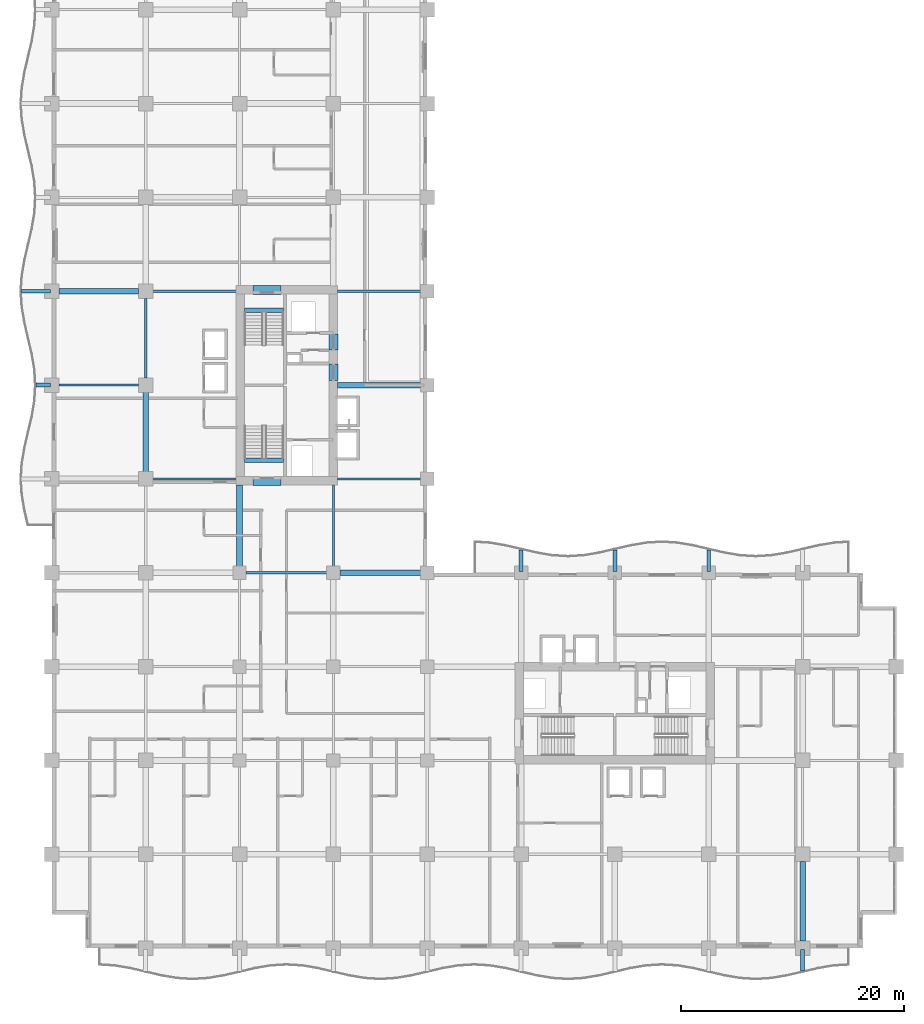
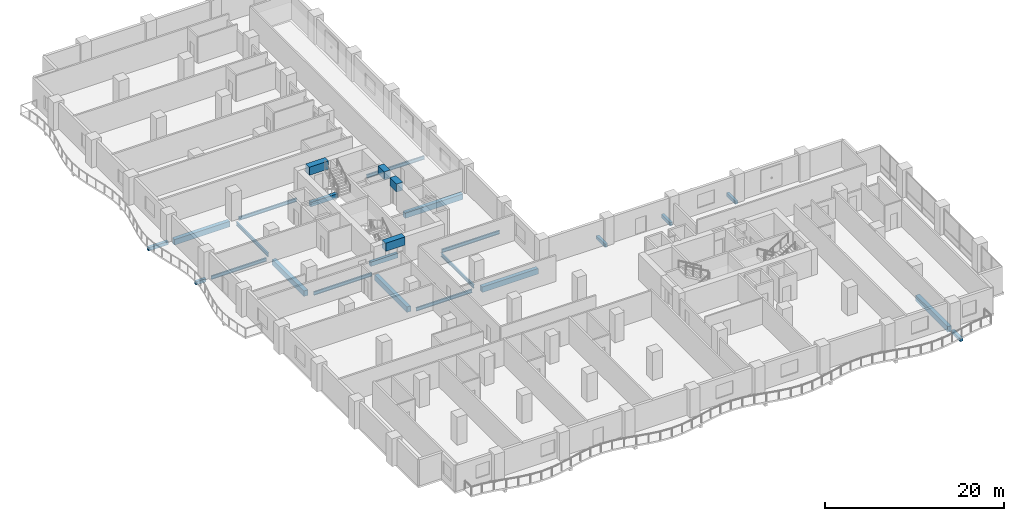
# One storey, part 2 of 24: 26 beams.
"""IFC4 building model written with IfcOpenShell, lengths in metres."""

from ifc_helpers import new_model, si_unit, direction, frame, origin, origin_2d, place, context, subcontext, project, spatial, rectangle, i_section, extrude, material, material_profile, profile_set, type_object, element, save


model = new_model("IFC4")

# Units and contexts
model_context = context("Model", 3, precision=1e-05, world=origin(), true_north=direction((0.0, 1.0)))
body_context = subcontext(model_context, "Body", "Model", "MODEL_VIEW")
ifc_project = project(units=[si_unit("LENGTHUNIT", "METRE"), si_unit("AREAUNIT", "SQUARE_METRE"), si_unit("VOLUMEUNIT", "CUBIC_METRE"), si_unit("PLANEANGLEUNIT", "RADIAN"), si_unit("MASSUNIT", "GRAM", prefix="KILO")], contexts=[model_context])

# Site, building, storey
site_placement = place(None, origin())
site = spatial("IfcSite", under=ifc_project, at=site_placement, CompositionType="ELEMENT")
building_placement = place(site_placement, origin())
building = spatial("IfcBuilding", under=site, at=building_placement, Name="Koriwani Terraces Tower", CompositionType="ELEMENT")
storey_placement = place(building_placement, frame((0.0, 0.0, 103.800048828125)))
storey = spatial("IfcBuildingStorey", under=building, at=storey_placement, Name="L24", CompositionType="ELEMENT", Elevation=103.800048828125)

# Beams
ifc_material_1 = material(Name="Concrete C40/50", Category="concrete")
ifc_material_profile_1 = material_profile(ifc_material_1, rectangle(XDim=0.35009765625, YDim=0.449951171875, at=origin_2d()), Name="Concrete C40/50", Category="LoadBearing")
ifc_profile_set_1 = profile_set([ifc_material_profile_1], Name="Concrete C40/50")
beam_type_1 = type_object("IfcBeamType", Name="BEAM_RC_BALCONY_RIB_350X450", PredefinedType="JOIST", material=ifc_profile_set_1)
beam_1_placement = place(storey_placement, frame((67.199951171875, -2.050048828125, -0.47509765625), z_axis=(0.0, 1.0, 0.0), x_axis=(-1.0, 0.0, 0.0)))
element("IfcBeam", 1, at=beam_1_placement, inside=storey, type_object=beam_type_1, Name="L24 Balcony Bracket Rib S-8", PredefinedType="JOIST", context=body_context, shape_type="SweptSolid", body=[
    extrude(rectangle(XDim=0.35009765625, YDim=0.449951171875, at=origin_2d()), origin(), (0.0, 0.0, 1.0), 1.949951171875),
])
beam_2_placement = place(storey_placement, frame((-1.39990234375, 50.39990234375, -0.47509765625), z_axis=(1.0, 0.0, 0.0), x_axis=(0.0, 1.0, 0.0)))
element("IfcBeam", 2, at=beam_2_placement, inside=storey, type_object=beam_type_1, Name="L24 Balcony Bracket Rib W-2", PredefinedType="JOIST", context=body_context, shape_type="SweptSolid", body=[
    extrude(rectangle(XDim=0.35009765625, YDim=0.449951171875, at=origin_2d()), origin(), (0.0, 0.0, 1.0), 1.2998046875),
])
beam_3_placement = place(storey_placement, frame((-2.699951171875, 58.800048828125, -0.47509765625), z_axis=(1.0, 0.0, 0.0), x_axis=(0.0, 1.0, 0.0)))
element("IfcBeam", 3, at=beam_3_placement, inside=storey, type_object=beam_type_1, Name="L24 Balcony Bracket Rib W-3", PredefinedType="JOIST", context=body_context, shape_type="SweptSolid", body=[
    extrude(rectangle(XDim=0.35009765625, YDim=0.449951171875, at=origin_2d()), origin(), (0.0, 0.0, 1.0), 2.599853515625),
])
for number, where, z_axis, x_axis, name in (
    (4, (42.0, 33.699951171875, -0.47509765625), (0.0, 1.0, 0.0), (-1.0, 0.0, 0.0), "L24 Balcony Bracket Rib NE-1"),
    (5, (50.39990234375, 33.699951171875, -0.47509765625), (0.0, 1.0, 0.0), (-1.0, 0.0, 0.0), "L24 Balcony Bracket Rib NE-2"),
    (6, (58.800048828125, 33.699951171875, -0.47509765625), (0.0, 1.0, 0.0), (-1.0, 0.0, 0.0), "L24 Balcony Bracket Rib NE-3"),
):
    element("IfcBeam", number, at=place(storey_placement, frame(where, z_axis=z_axis, x_axis=x_axis)), inside=storey, type_object=beam_type_1, Name=name, PredefinedType="JOIST", context=body_context, shape_type="SweptSolid", body=[
        extrude(rectangle(XDim=0.35009765625, YDim=0.449951171875, at=origin_2d()), origin(), (0.0, 0.0, 1.0), 1.949951171875),
    ])
ifc_material_2 = material(Name="Concrete C60/75", Category="concrete")
ifc_material_profile_2 = material_profile(ifc_material_2, rectangle(XDim=0.800048828125, YDim=1.10009765625, at=origin_2d()), Name="Concrete C60/75", Category="LoadBearing")
ifc_profile_set_2 = profile_set([ifc_material_profile_2], Name="Concrete C60/75")
beam_type_2 = type_object("IfcBeamType", Name="BEAM_RC_COUPLING_800X1100", PredefinedType="LINTEL", material=ifc_profile_set_2)
beam_4_placement = place(storey_placement, frame((25.199951171875, 50.800048828125, 3.0), z_axis=(0.0, 1.0, 0.0), x_axis=(-1.0, 0.0, 0.0)))
element("IfcBeam", 7, at=beam_4_placement, inside=storey, type_object=beam_type_2, Name="L24 Core Coupling Lintel Beam WE1", PredefinedType="LINTEL", context=body_context, shape_type="SweptSolid", body=[
    extrude(rectangle(XDim=0.800048828125, YDim=1.10009765625, at=origin_2d()), origin(), (0.0, 0.0, 1.0), 1.47998046875),
])
beam_5_placement = place(storey_placement, frame((25.199951171875, 53.550048828125, 3.0), z_axis=(0.0, 1.0, 0.0), x_axis=(-1.0, 0.0, 0.0)))
element("IfcBeam", 8, at=beam_5_placement, inside=storey, type_object=beam_type_2, Name="L24 Core Coupling Lintel Beam WE2", PredefinedType="LINTEL", context=body_context, shape_type="SweptSolid", body=[
    extrude(rectangle(XDim=0.800048828125, YDim=1.10009765625, at=origin_2d()), origin(), (0.0, 0.0, 1.0), 1.39990234375),
])
for number, where, z_axis, x_axis, name in (
    (9, (18.0, 41.824951171875, 3.0), (1.0, 0.0, 0.0), (0.0, 1.0, 0.0), "L24 Core Coupling Lintel Beam WS"),
    (10, (18.0, 58.925048828125, 3.0), (1.0, 0.0, 0.0), (0.0, 1.0, 0.0), "L24 Core Coupling Lintel Beam WN"),
):
    element("IfcBeam", number, at=place(storey_placement, frame(where, z_axis=z_axis, x_axis=x_axis)), inside=storey, type_object=beam_type_2, Name=name, PredefinedType="LINTEL", context=body_context, shape_type="SweptSolid", body=[
        extrude(rectangle(XDim=0.800048828125, YDim=1.10009765625, at=origin_2d()), origin(), (0.0, 0.0, 1.0), 2.5),
    ])
ifc_material_profile_3 = material_profile(ifc_material_1, rectangle(XDim=0.39990234375, YDim=0.60009765625, at=origin_2d()), Name="Concrete C40/50", Category="LoadBearing")
ifc_profile_set_3 = profile_set([ifc_material_profile_3], Name="Concrete C40/50")
beam_type_3 = type_object("IfcBeamType", Name="BEAM_RC_GRID_400X600", PredefinedType="BEAM", material=ifc_profile_set_3)
for number, where, z_axis, x_axis, name in (
    (11, (17.25, 43.655029296875, -0.300048828125), (1.0, 0.0, 0.0), (0.0, 1.0, 0.0), "L24 Stairwell Header Trimmer Beam ST-W1"),
    (12, (17.25, 57.094970703125, -0.300048828125), (1.0, 0.0, 0.0), (0.0, 1.0, 0.0), "L24 Stairwell Header Trimmer Beam ST-W2"),
):
    element("IfcBeam", number, at=place(storey_placement, frame(where, z_axis=z_axis, x_axis=x_axis)), inside=storey, type_object=beam_type_3, Name=name, PredefinedType="BEAM", context=body_context, shape_type="SweptSolid", body=[
        extrude(rectangle(XDim=0.39990234375, YDim=0.60009765625, at=origin_2d()), origin(), (0.0, 0.0, 1.0), 3.5),
    ])
ifc_material_3 = material(Name="Concrete C50/60", Category="concrete")
ifc_material_profile_4 = material_profile(ifc_material_3, rectangle(XDim=0.5, YDim=0.75, at=origin_2d()), Name="Concrete C50/60", Category="LoadBearing")
ifc_profile_set_4 = profile_set([ifc_material_profile_4], Name="Concrete C50/60")
beam_type_4 = type_object("IfcBeamType", Name="BEAM_RC_GRID_500X750", PredefinedType="BEAM", material=ifc_profile_set_4)
beam_6_placement = place(storey_placement, frame((25.780029296875, 33.60009765625, -0.625), z_axis=(1.0, 0.0, 0.0), x_axis=(0.0, 1.0, 0.0)))
element("IfcBeam", 13, at=beam_6_placement, inside=storey, type_object=beam_type_4, Name="L24 Grid Beam E (25.2-33.6m)", PredefinedType="BEAM", context=body_context, shape_type="SweptSolid", body=[
    extrude(rectangle(XDim=0.5, YDim=0.75, at=origin_2d()), origin(), (0.0, 0.0, 1.0), 7.239990234375),
])
beam_7_placement = place(storey_placement, frame((25.554931640625, 50.39990234375, -0.625), z_axis=(1.0, 0.0, 0.0), x_axis=(0.0, 1.0, 0.0)))
element("IfcBeam", 14, at=beam_7_placement, inside=storey, type_object=beam_type_4, Name="L24 Grid Beam G (25.2-33.6m)", PredefinedType="BEAM", context=body_context, shape_type="SweptSolid", body=[
    extrude(rectangle(XDim=0.5, YDim=0.75, at=origin_2d()), origin(), (0.0, 0.0, 1.0), 7.465087890625),
])
for number, where, z_axis, x_axis, name in (
    (15, (0.6298828125, 58.800048828125, -0.625), (1.0, 0.0, 0.0), (0.0, 1.0, 0.0), "L24 Grid Beam H (0.0-8.4m)"),
    (16, (8.39990234375, 42.6298828125, -0.625), (0.0, 1.0, 0.0), (-1.0, 0.0, 0.0), "L24 Grid Beam 2 (42.0-50.4m)"),
):
    element("IfcBeam", number, at=place(storey_placement, frame(where, z_axis=z_axis, x_axis=x_axis)), inside=storey, type_object=beam_type_4, Name=name, PredefinedType="BEAM", context=body_context, shape_type="SweptSolid", body=[
        extrude(rectangle(XDim=0.5, YDim=0.75, at=origin_2d()), origin(), (0.0, 0.0, 1.0), 7.14013671875),
    ])
beam_8_placement = place(storey_placement, frame((16.800048828125, 34.179931640625, -0.625), z_axis=(0.0, 1.0, 0.0), x_axis=(-1.0, 0.0, 0.0)))
element("IfcBeam", 17, at=beam_8_placement, inside=storey, type_object=beam_type_4, Name="L24 Grid Beam 3 (33.6-42.0m)", PredefinedType="BEAM", context=body_context, shape_type="SweptSolid", body=[
    extrude(rectangle(XDim=0.5, YDim=0.75, at=origin_2d()), origin(), (0.0, 0.0, 1.0), 7.2900390625),
])
beam_9_placement = place(storey_placement, frame((67.199951171875, 0.6298828125, -0.625), z_axis=(0.0, 1.0, 0.0), x_axis=(-1.0, 0.0, 0.0)))
element("IfcBeam", 18, at=beam_9_placement, inside=storey, type_object=beam_type_4, Name="L24 Grid Beam 9 (0.0-8.4m)", PredefinedType="BEAM", context=body_context, shape_type="SweptSolid", body=[
    extrude(rectangle(XDim=0.5, YDim=0.75, at=origin_2d()), origin(), (0.0, 0.0, 1.0), 7.14013671875),
])
ifc_material_4 = material(Name="Steel ASTM A572 Grade 50", Category="steel")
ifc_material_profile_5 = material_profile(ifc_material_4, i_section(OverallWidth=0.193115234375, OverallDepth=0.462890625, WebThickness=0.0107421875, FlangeThickness=0.017333984375, at=origin_2d()), Name="Steel ASTM A572 Grade 50", Category="LoadBearing")
ifc_profile_set_5 = profile_set([ifc_material_profile_5], Name="Steel ASTM A572 Grade 50")
beam_type_5 = type_object("IfcBeamType", Name="STEEL_BEAM_W460X113", PredefinedType="BEAM", material=ifc_profile_set_5)
beam_10_placement = place(storey_placement, frame((17.3798828125, 33.60009765625, -0.4814453125), z_axis=(1.0, 0.0, 0.0), x_axis=(0.0, 1.0, 0.0)))
element("IfcBeam", 19, at=beam_10_placement, inside=storey, type_object=beam_type_5, Name="L24 Grid Beam E (16.8-25.2m)", PredefinedType="BEAM", context=body_context, shape_type="SweptSolid", body=[
    extrude(i_section(OverallWidth=0.193115234375, OverallDepth=0.462890625, WebThickness=0.0107421875, FlangeThickness=0.017333984375, at=origin_2d()), origin(), (0.0, 0.0, 1.0), 7.240234375),
])
beam_11_placement = place(storey_placement, frame((9.030029296875, 42.0, -0.4814453125), z_axis=(1.0, 0.0, 0.0), x_axis=(0.0, 1.0, 0.0)))
element("IfcBeam", 20, at=beam_11_placement, inside=storey, type_object=beam_type_5, Name="L24 Grid Beam F (8.4-16.8m)", PredefinedType="BEAM", context=body_context, shape_type="SweptSolid", body=[
    extrude(i_section(OverallWidth=0.193115234375, OverallDepth=0.462890625, WebThickness=0.0107421875, FlangeThickness=0.017333984375, at=origin_2d()), origin(), (0.0, 0.0, 1.0), 7.489990234375),
])
beam_12_placement = place(storey_placement, frame((25.554931640625, 42.0, -0.4814453125), z_axis=(1.0, 0.0, 0.0), x_axis=(0.0, 1.0, 0.0)))
element("IfcBeam", 21, at=beam_12_placement, inside=storey, type_object=beam_type_5, Name="L24 Grid Beam F (25.2-33.6m)", PredefinedType="BEAM", context=body_context, shape_type="SweptSolid", body=[
    extrude(i_section(OverallWidth=0.193115234375, OverallDepth=0.462890625, WebThickness=0.0107421875, FlangeThickness=0.017333984375, at=origin_2d()), origin(), (0.0, 0.0, 1.0), 7.465087890625),
])
beam_13_placement = place(storey_placement, frame((0.6298828125, 50.39990234375, -0.4814453125), z_axis=(1.0, 0.0, 0.0), x_axis=(0.0, 1.0, 0.0)))
element("IfcBeam", 22, at=beam_13_placement, inside=storey, type_object=beam_type_5, Name="L24 Grid Beam G (0.0-8.4m)", PredefinedType="BEAM", context=body_context, shape_type="SweptSolid", body=[
    extrude(i_section(OverallWidth=0.193115234375, OverallDepth=0.462890625, WebThickness=0.0107421875, FlangeThickness=0.017333984375, at=origin_2d()), origin(), (0.0, 0.0, 1.0), 7.14013671875),
])
beam_14_placement = place(storey_placement, frame((9.030029296875, 58.800048828125, -0.4814453125), z_axis=(1.0, 0.0, 0.0), x_axis=(0.0, 1.0, 0.0)))
element("IfcBeam", 23, at=beam_14_placement, inside=storey, type_object=beam_type_5, Name="L24 Grid Beam H (8.4-16.8m)", PredefinedType="BEAM", context=body_context, shape_type="SweptSolid", body=[
    extrude(i_section(OverallWidth=0.193115234375, OverallDepth=0.462890625, WebThickness=0.0107421875, FlangeThickness=0.017333984375, at=origin_2d()), origin(), (0.0, 0.0, 1.0), 7.489990234375),
])
beam_15_placement = place(storey_placement, frame((25.554931640625, 58.800048828125, -0.4814453125), z_axis=(1.0, 0.0, 0.0), x_axis=(0.0, 1.0, 0.0)))
element("IfcBeam", 24, at=beam_15_placement, inside=storey, type_object=beam_type_5, Name="L24 Grid Beam H (25.2-33.6m)", PredefinedType="BEAM", context=body_context, shape_type="SweptSolid", body=[
    extrude(i_section(OverallWidth=0.193115234375, OverallDepth=0.462890625, WebThickness=0.0107421875, FlangeThickness=0.017333984375, at=origin_2d()), origin(), (0.0, 0.0, 1.0), 7.465087890625),
])
beam_16_placement = place(storey_placement, frame((8.39990234375, 51.030029296875, -0.4814453125), z_axis=(0.0, 1.0, 0.0), x_axis=(-1.0, 0.0, 0.0)))
element("IfcBeam", 25, at=beam_16_placement, inside=storey, type_object=beam_type_5, Name="L24 Grid Beam 2 (50.4-58.8m)", PredefinedType="BEAM", context=body_context, shape_type="SweptSolid", body=[
    extrude(i_section(OverallWidth=0.193115234375, OverallDepth=0.462890625, WebThickness=0.0107421875, FlangeThickness=0.017333984375, at=origin_2d()), origin(), (0.0, 0.0, 1.0), 7.139892578125),
])
beam_17_placement = place(storey_placement, frame((25.199951171875, 34.179931640625, -0.4814453125), z_axis=(0.0, 1.0, 0.0), x_axis=(-1.0, 0.0, 0.0)))
element("IfcBeam", 26, at=beam_17_placement, inside=storey, type_object=beam_type_5, Name="L24 Grid Beam 4 (33.6-42.0m)", PredefinedType="BEAM", context=body_context, shape_type="SweptSolid", body=[
    extrude(i_section(OverallWidth=0.193115234375, OverallDepth=0.462890625, WebThickness=0.0107421875, FlangeThickness=0.017333984375, at=origin_2d()), origin(), (0.0, 0.0, 1.0), 7.2900390625),
])

save(model, "model.ifc")
